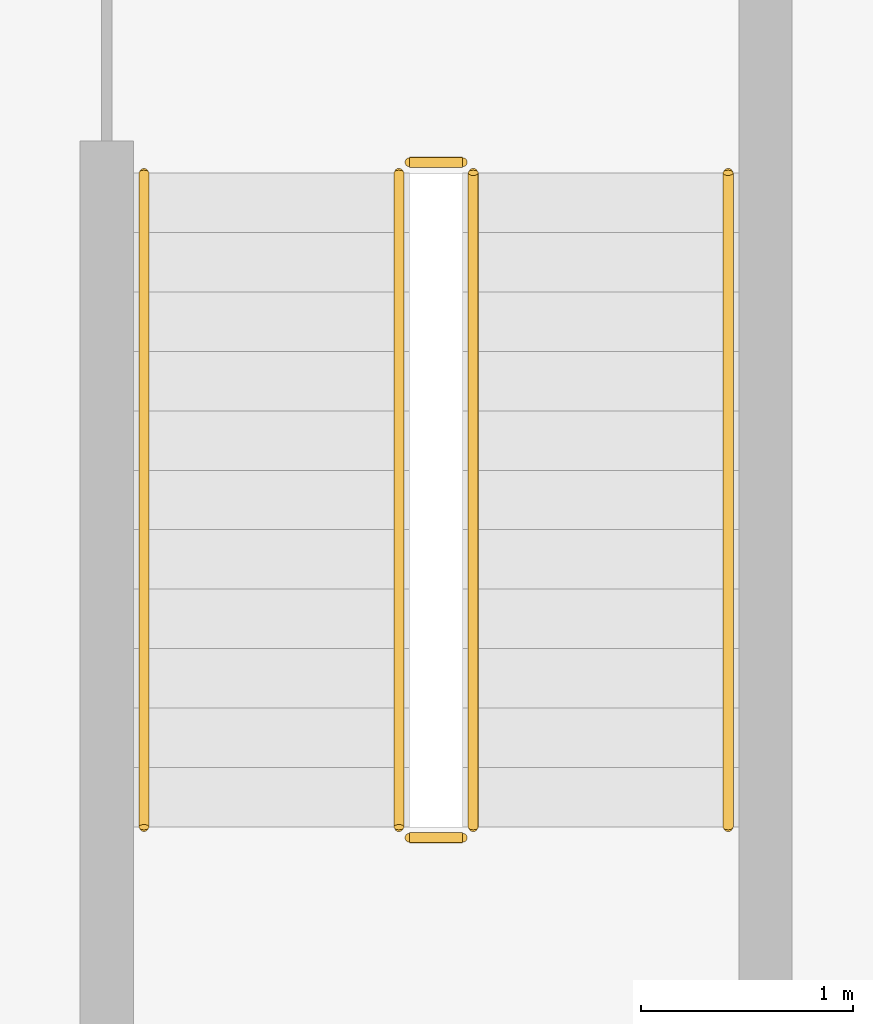
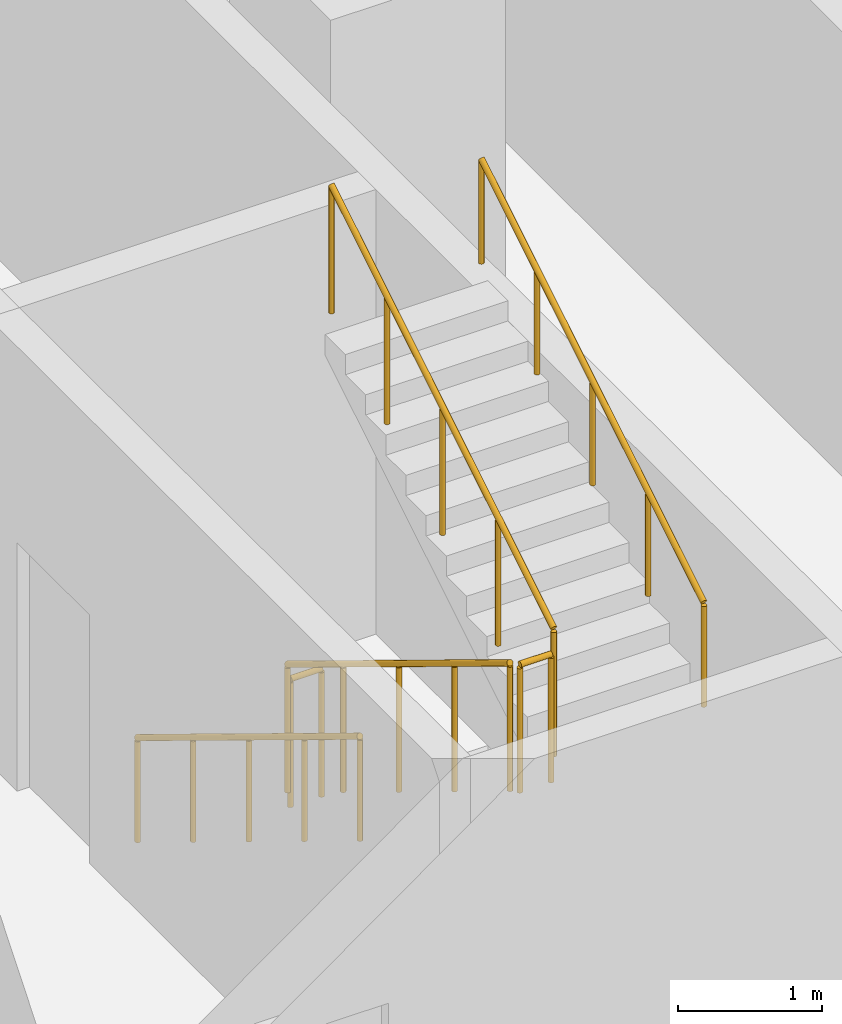
# One storey, part 24 of 29: 6 railings.
"""IFC4 building model written with IfcOpenShell, lengths in metres."""

from ifc_helpers import new_model, si_unit, direction, frame, origin, origin_2d, place, context, subcontext, project, spatial, circle, extrude, material, type_object, element, save


model = new_model("IFC4")

# Units and contexts
model_context = context("Model", 3, precision=1e-05, world=origin(), true_north=direction((0.0, 1.0)))
body_context = subcontext(model_context, "Body", "Model", "MODEL_VIEW")
ifc_project = project(units=[si_unit("LENGTHUNIT", "METRE"), si_unit("AREAUNIT", "SQUARE_METRE"), si_unit("VOLUMEUNIT", "CUBIC_METRE"), si_unit("PLANEANGLEUNIT", "RADIAN"), si_unit("MASSUNIT", "GRAM", prefix="KILO")], contexts=[model_context])

# Site, building, storey
site_placement = place(None, origin())
site = spatial("IfcSite", under=ifc_project, at=site_placement, CompositionType="ELEMENT")
building_placement = place(site_placement, origin())
building = spatial("IfcBuilding", under=site, at=building_placement, Name="Mahtab Terrace Research Tower", CompositionType="ELEMENT")
storey_placement = place(building_placement, frame((0.0, 0.0, 105.300048828125)))
storey = spatial("IfcBuildingStorey", under=building, at=storey_placement, Name="L24", CompositionType="ELEMENT", Elevation=105.300048828125)

# Railings
ifc_material = material(Name="Stainless steel AISI 304", Category="steel")
railing_type_1 = type_object("IfcRailingType", Name="Stair guard 1100", PredefinedType="GUARDRAIL", material=ifc_material)
railing_1_placement = place(storey_placement, frame((2.949951171875, -4.175048828125, 0.1708984375)))
element("IfcRailing", 1, at=railing_1_placement, inside=storey, type_object=railing_type_1, Name="L24 ST2 stair guard 1", PredefinedType="GUARDRAIL", context=body_context, shape_type="SweptSolid", body=[
    extrude(circle(Radius=0.02392578125, at=origin_2d()), frame((0.0, 0.0, 1.076171875), z_axis=(0.0, -0.853647949592, 0.520850437417), x_axis=(1.0, 0.0, 0.0)), (0.0, 0.0, 1.0), 3.60791015625),
    extrude(circle(Radius=0.02099609375, at=origin_2d()), origin(), (0.0, 0.0, 1.0), 1.052001953125),
    extrude(circle(Radius=0.02099609375, at=origin_2d()), frame((0.0, -0.77001953125, 0.4697265625)), (0.0, 0.0, 1.0), 1.052001953125),
    extrude(circle(Radius=0.02099609375, at=origin_2d()), frame((0.0, -1.5400390625, 0.939453125)), (0.0, 0.0, 1.0), 1.052001953125),
    extrude(circle(Radius=0.02099609375, at=origin_2d()), frame((0.0, -2.309814453125, 1.409423828125)), (0.0, 0.0, 1.0), 1.052001953125),
    extrude(circle(Radius=0.02099609375, at=origin_2d()), frame((0.0, -3.079833984375, 1.879150390625)), (0.0, 0.0, 1.0), 1.052001953125),
])
railing_2_placement = place(storey_placement, frame((3.0, -7.304931640625, 2.050048828125)))
element("IfcRailing", 2, at=railing_2_placement, inside=storey, type_object=railing_type_1, Name="L24 ST2 stair guard 2", PredefinedType="GUARDRAIL", context=body_context, shape_type="SweptSolid", body=[
    extrude(circle(Radius=0.02392578125, at=origin_2d()), frame((0.0, 0.0, 1.076171875), z_axis=(1.0, 0.0, 0.0), x_axis=(0.0, 1.0, 0.0)), (0.0, 0.0, 1.0), 0.25),
    extrude(circle(Radius=0.02099609375, at=origin_2d()), origin(), (0.0, 0.0, 1.0), 1.052001953125),
    extrude(circle(Radius=0.02099609375, at=origin_2d()), frame((0.25, 0.0, 0.0)), (0.0, 0.0, 1.0), 1.052001953125),
])
railing_3_placement = place(storey_placement, frame((3.300048828125, -7.2548828125, 2.220703125)))
element("IfcRailing", 3, at=railing_3_placement, inside=storey, type_object=railing_type_1, Name="L24 ST2 stair guard 3", PredefinedType="GUARDRAIL", context=body_context, shape_type="SweptSolid", body=[
    extrude(circle(Radius=0.02392578125, at=origin_2d()), frame((0.0, 0.0, 1.076171875), z_axis=(0.0, 0.853647949592, 0.520850437417), x_axis=(-1.0, 0.0, 0.0)), (0.0, 0.0, 1.0), 3.60791015625),
    extrude(circle(Radius=0.02099609375, at=origin_2d()), origin(), (0.0, 0.0, 1.0), 1.052001953125),
    extrude(circle(Radius=0.02099609375, at=origin_2d()), frame((0.0, 0.77001953125, 0.4697265625)), (0.0, 0.0, 1.0), 1.052001953125),
    extrude(circle(Radius=0.02099609375, at=origin_2d()), frame((0.0, 1.5400390625, 0.939453125)), (0.0, 0.0, 1.0), 1.052001953125),
    extrude(circle(Radius=0.02099609375, at=origin_2d()), frame((0.0, 2.309814453125, 1.409423828125)), (0.0, 0.0, 1.0), 1.052001953125),
    extrude(circle(Radius=0.02099609375, at=origin_2d()), frame((0.0, 3.079833984375, 1.879150390625)), (0.0, 0.0, 1.0), 1.052001953125),
])
railing_4_placement = place(storey_placement, frame((3.0, -4.125, 0.0)))
element("IfcRailing", 4, at=railing_4_placement, inside=storey, type_object=railing_type_1, Name="L24 ST2 stair guard 4", PredefinedType="GUARDRAIL", context=body_context, shape_type="SweptSolid", body=[
    extrude(circle(Radius=0.02392578125, at=origin_2d()), frame((0.0, 0.0, 1.076171875), z_axis=(1.0, 0.0, 0.0), x_axis=(0.0, 1.0, 0.0)), (0.0, 0.0, 1.0), 0.25),
    extrude(circle(Radius=0.02099609375, at=origin_2d()), origin(), (0.0, 0.0, 1.0), 1.052001953125),
    extrude(circle(Radius=0.02099609375, at=origin_2d()), frame((0.25, 0.0, 0.0)), (0.0, 0.0, 1.0), 1.052001953125),
])
railing_type_2 = type_object("IfcRailingType", Name="Stair handrail 900", PredefinedType="HANDRAIL", material=ifc_material)
railing_5_placement = place(storey_placement, frame((1.75, -4.175048828125, 0.1708984375)))
element("IfcRailing", 5, at=railing_5_placement, inside=storey, type_object=railing_type_2, Name="L24 ST2 stair handrail 1", PredefinedType="HANDRAIL", context=body_context, shape_type="SweptSolid", body=[
    extrude(circle(Radius=0.02392578125, at=origin_2d()), frame((0.0, 0.0, 0.8759765625), z_axis=(0.0, -0.853647949592, 0.520850437417), x_axis=(1.0, 0.0, 0.0)), (0.0, 0.0, 1.0), 3.60791015625),
    extrude(circle(Radius=0.02099609375, at=origin_2d()), origin(), (0.0, 0.0, 1.0), 0.851806640625),
    extrude(circle(Radius=0.02099609375, at=origin_2d()), frame((0.0, -0.77001953125, 0.4697265625)), (0.0, 0.0, 1.0), 0.851806640625),
    extrude(circle(Radius=0.02099609375, at=origin_2d()), frame((0.0, -1.5400390625, 0.939453125)), (0.0, 0.0, 1.0), 0.851806640625),
    extrude(circle(Radius=0.02099609375, at=origin_2d()), frame((0.0, -2.309814453125, 1.409423828125)), (0.0, 0.0, 1.0), 0.851806640625),
    extrude(circle(Radius=0.02099609375, at=origin_2d()), frame((0.0, -3.079833984375, 1.879150390625)), (0.0, 0.0, 1.0), 0.851806640625),
])
railing_6_placement = place(storey_placement, frame((4.5, -7.2548828125, 2.220703125)))
element("IfcRailing", 6, at=railing_6_placement, inside=storey, type_object=railing_type_2, Name="L24 ST2 stair handrail 2", PredefinedType="HANDRAIL", context=body_context, shape_type="SweptSolid", body=[
    extrude(circle(Radius=0.02392578125, at=origin_2d()), frame((0.0, 0.0, 0.8759765625), z_axis=(0.0, 0.853647949592, 0.520850437417), x_axis=(-1.0, 0.0, 0.0)), (0.0, 0.0, 1.0), 3.60791015625),
    extrude(circle(Radius=0.02099609375, at=origin_2d()), origin(), (0.0, 0.0, 1.0), 0.851806640625),
    extrude(circle(Radius=0.02099609375, at=origin_2d()), frame((0.0, 0.77001953125, 0.4697265625)), (0.0, 0.0, 1.0), 0.851806640625),
    extrude(circle(Radius=0.02099609375, at=origin_2d()), frame((0.0, 1.5400390625, 0.939453125)), (0.0, 0.0, 1.0), 0.851806640625),
    extrude(circle(Radius=0.02099609375, at=origin_2d()), frame((0.0, 2.309814453125, 1.409423828125)), (0.0, 0.0, 1.0), 0.851806640625),
    extrude(circle(Radius=0.02099609375, at=origin_2d()), frame((0.0, 3.079833984375, 1.879150390625)), (0.0, 0.0, 1.0), 0.851806640625),
])

save(model, "model.ifc")
